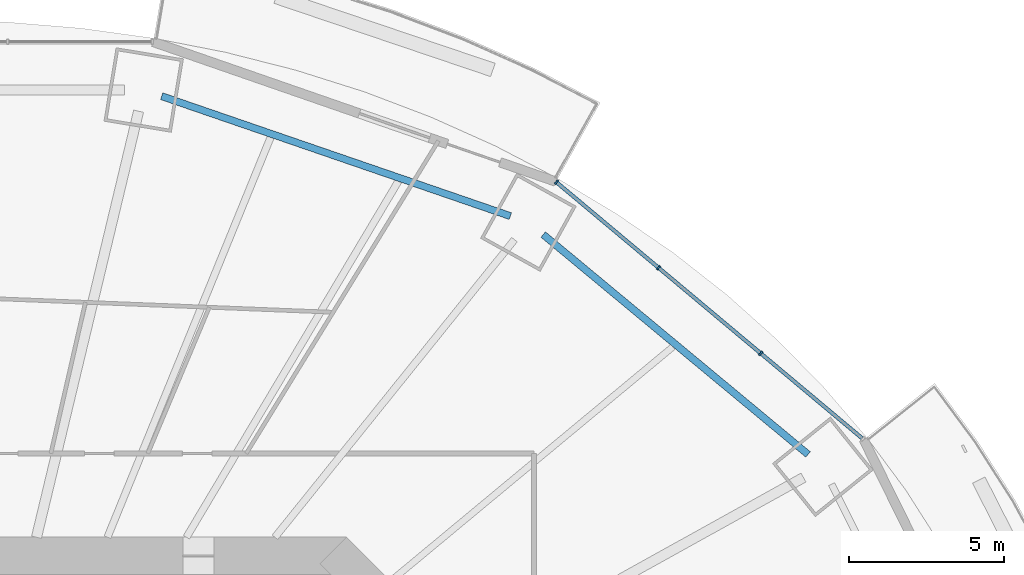
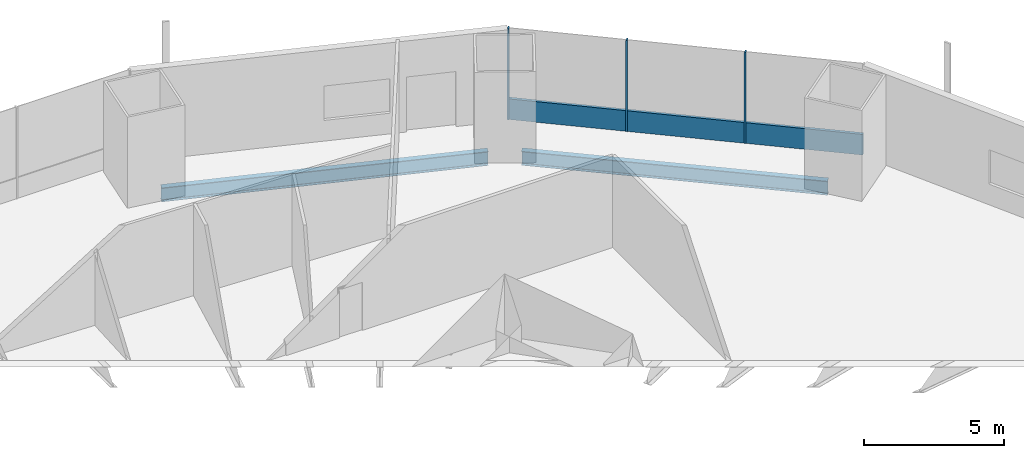
# One storey, part 10 of 23: 4 members, 2 beams, 1 element without a shape of its own.
"""IFC4 building model written with IfcOpenShell, lengths in metres."""

from ifc_helpers import new_model, si_unit, direction, frame, origin, origin_2d, place, context, subcontext, project, spatial, rectangle, i_section, extrude, material, material_profile, profile_set, type_object, element, aggregate, save


model = new_model("IFC4")

# Units and contexts
model_context = context("Model", 3, precision=1e-05, world=origin(), true_north=direction((0.0, 1.0)))
body_context = subcontext(model_context, "Body", "Model", "MODEL_VIEW")
ifc_project = project(units=[si_unit("LENGTHUNIT", "METRE"), si_unit("AREAUNIT", "SQUARE_METRE"), si_unit("VOLUMEUNIT", "CUBIC_METRE"), si_unit("PLANEANGLEUNIT", "RADIAN"), si_unit("MASSUNIT", "GRAM", prefix="KILO")], contexts=[model_context])

# Site, building, storey
site_placement = place(None, origin())
site = spatial("IfcSite", under=ifc_project, at=site_placement, CompositionType="ELEMENT")
building_placement = place(site_placement, origin())
building = spatial("IfcBuilding", under=site, at=building_placement, Name="Marenthal Gate Tower", CompositionType="ELEMENT")
storey_placement = place(building_placement, frame((0.0, 0.0, 57.89990234375)))
storey = spatial("IfcBuildingStorey", under=building, at=storey_placement, Name="L10", CompositionType="ELEMENT", Elevation=57.89990234375)

# Curtain wall, members
ifc_material_1 = material(Name="Aluminium and glass", Category="aluminium")
curtain_wall_type = type_object("IfcCurtainWallType", Name="Curtain wall typical low", PredefinedType="NOTDEFINED", material=ifc_material_1)
curtain_wall_placement = place(storey_placement, origin())
curtain_wall = element("IfcCurtainWall", 1, at=curtain_wall_placement, inside=storey, type_object=curtain_wall_type, Name="Curtain wall L10 bay 2", PredefinedType="NOTDEFINED")
ifc_material_2 = material(Name="Aluminium", Category="aluminium")
ifc_material_profile_1 = material_profile(ifc_material_2, rectangle(XDim=0.159912109375, YDim=0.06005859375, at=origin_2d()), Name="60x160 aluminium mullion")
ifc_profile_set_1 = profile_set([ifc_material_profile_1], Name="Aluminium")
member_type_1 = type_object("IfcMemberType", Name="Mullion 60x160 typical low", PredefinedType="MULLION", material=ifc_profile_set_1)
member_1_placement = place(storey_placement, frame((26.61083984375, 19.529052734375, 0.0), z_axis=(0.0, 0.0, 1.0), x_axis=(-0.642111737517, -0.766611059497, 0.0)))
member_1 = element("IfcMember", 2, at=member_1_placement, type_object=member_type_1, Name="Mullion L10 bay 2.2", PredefinedType="MULLION", context=body_context, shape_type="SweptSolid", body=[
    extrude(rectangle(XDim=0.159912109375, YDim=0.06005859375, at=origin_2d()), origin(), (0.0, 0.0, 1.0), 3.97021484375),
])
member_2_placement = place(storey_placement, frame((23.315673828125, 22.288818359375, 0.0), z_axis=(0.0, 0.0, 1.0), x_axis=(-0.642111737517, -0.766611059497, 0.0)))
member_2 = element("IfcMember", 3, at=member_2_placement, type_object=member_type_1, Name="Mullion L10 bay 2.3", PredefinedType="MULLION", context=body_context, shape_type="SweptSolid", body=[
    extrude(rectangle(XDim=0.159912109375, YDim=0.06005859375, at=origin_2d()), origin(), (0.0, 0.0, 1.0), 3.97021484375),
])
member_3_placement = place(storey_placement, frame((20.020751953125, 25.048828125, 0.0), z_axis=(0.0, 0.0, 1.0), x_axis=(-0.642111737517, -0.766611059497, 0.0)))
member_3 = element("IfcMember", 4, at=member_3_placement, type_object=member_type_1, Name="Mullion L10 bay 2.4", PredefinedType="MULLION", context=body_context, shape_type="SweptSolid", body=[
    extrude(rectangle(XDim=0.159912109375, YDim=0.06005859375, at=origin_2d()), origin(), (0.0, 0.0, 1.0), 3.97021484375),
])
ifc_material_3 = material(Name="Aluminium", Category="aluminium")
ifc_material_profile_2 = material_profile(ifc_material_3, rectangle(XDim=0.1201171875, YDim=0.89990234375, at=origin_2d()), Name="120x900 aluminium transom")
ifc_profile_set_2 = profile_set([ifc_material_profile_2], Name="Aluminium")
member_type_2 = type_object("IfcMemberType", Name="Transom 120x900 typical low", PredefinedType="USERDEFINED", material=ifc_profile_set_2)
member_4_placement = place(storey_placement, frame((29.8828125, 16.788330078125, 0.4501953125), z_axis=(-0.766611330769, 0.642111413648, 0.0), x_axis=(-0.642111413648, -0.766611330769, 0.0)))
member_4 = element("IfcMember", 5, at=member_4_placement, type_object=member_type_2, Name="Transom L10 bay 2", ObjectType="TRANSOM", PredefinedType="USERDEFINED", context=body_context, shape_type="SweptSolid", body=[
    extrude(rectangle(XDim=0.1201171875, YDim=0.89990234375, at=origin_2d()), origin(), (0.0, 0.0, 1.0), 12.83447265625),
])
aggregate(curtain_wall, [member_1, member_2, member_3, member_4])

# Beams
ifc_material_4 = material(Name="Steel S355", Category="steel")
ifc_material_profile_3 = material_profile(ifc_material_4, i_section(OverallWidth=0.22900390625, OverallDepth=0.612060546875, WebThickness=0.011962890625, FlangeThickness=0.01953125, FilletRadius=0.0126953125, at=origin_2d()), Name="W610X125")
ifc_profile_set_3 = profile_set([ifc_material_profile_3], Name="Steel S355")
beam_type = type_object("IfcBeamType", Name="W610X125 beam", PredefinedType="BEAM", material=ifc_profile_set_3)
beam_1_placement = place(storey_placement, frame((28.135986328125, 16.26953125, -0.48583984375), z_axis=(-0.769424366687, 0.63873793057, 0.0), x_axis=(-0.63873793057, -0.769424366687, 0.0)))
element("IfcBeam", 6, at=beam_1_placement, inside=storey, type_object=beam_type, Name="BM-L10-42", PredefinedType="BEAM", context=body_context, shape_type="SweptSolid", body=[
    extrude(i_section(OverallWidth=0.22900390625, OverallDepth=0.612060546875, WebThickness=0.011962890625, FlangeThickness=0.01953125, FilletRadius=0.0126953125, at=origin_2d()), origin(), (0.0, 0.0, 1.0), 11.0986328125),
])
beam_2_placement = place(storey_placement, frame((18.536376953125, 23.954833984375, -0.48583984375), z_axis=(-0.945656601656, 0.325167021304, 0.0), x_axis=(-0.325167021304, -0.945656601656, 0.0)))
element("IfcBeam", 7, at=beam_2_placement, inside=storey, type_object=beam_type, Name="BM-L10-43", PredefinedType="BEAM", context=body_context, shape_type="SweptSolid", body=[
    extrude(i_section(OverallWidth=0.22900390625, OverallDepth=0.612060546875, WebThickness=0.011962890625, FlangeThickness=0.01953125, FilletRadius=0.0126953125, at=origin_2d()), origin(), (0.0, 0.0, 1.0), 11.88623046875),
])

save(model, "model.ifc")
